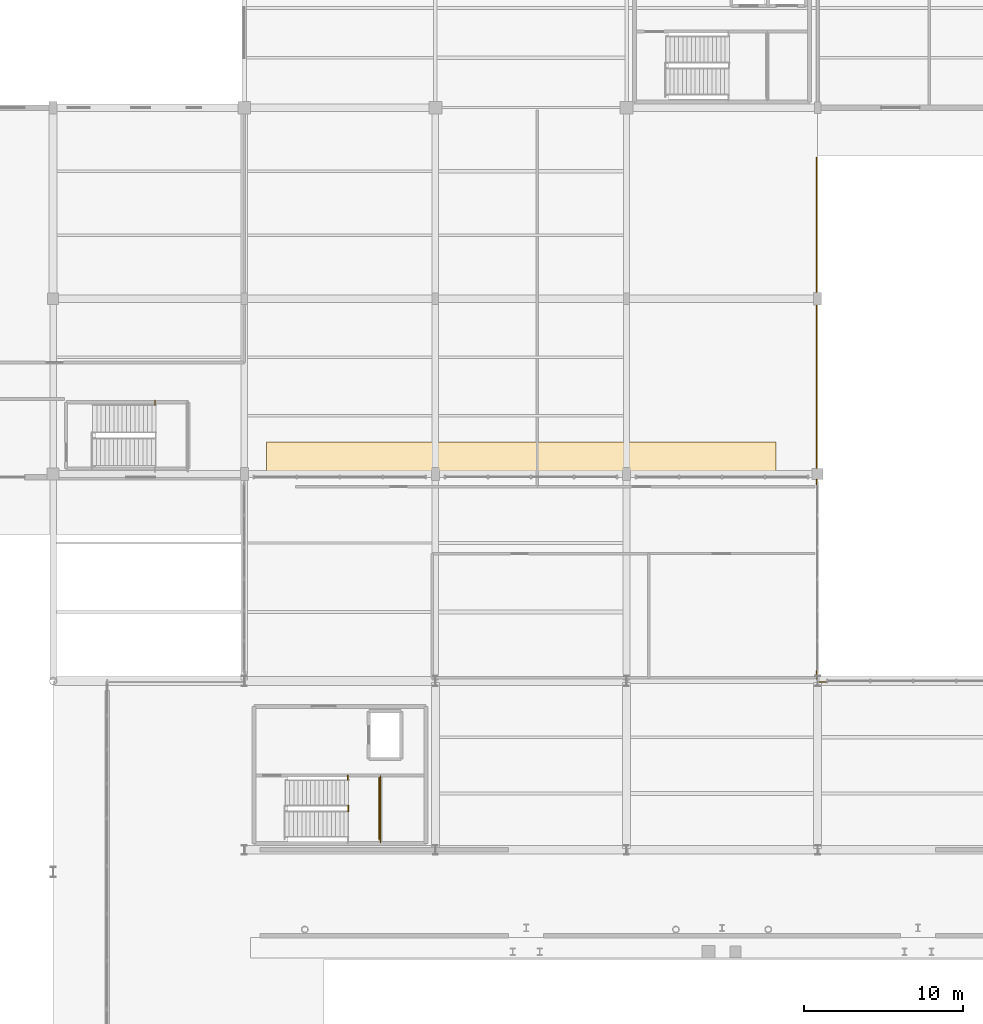
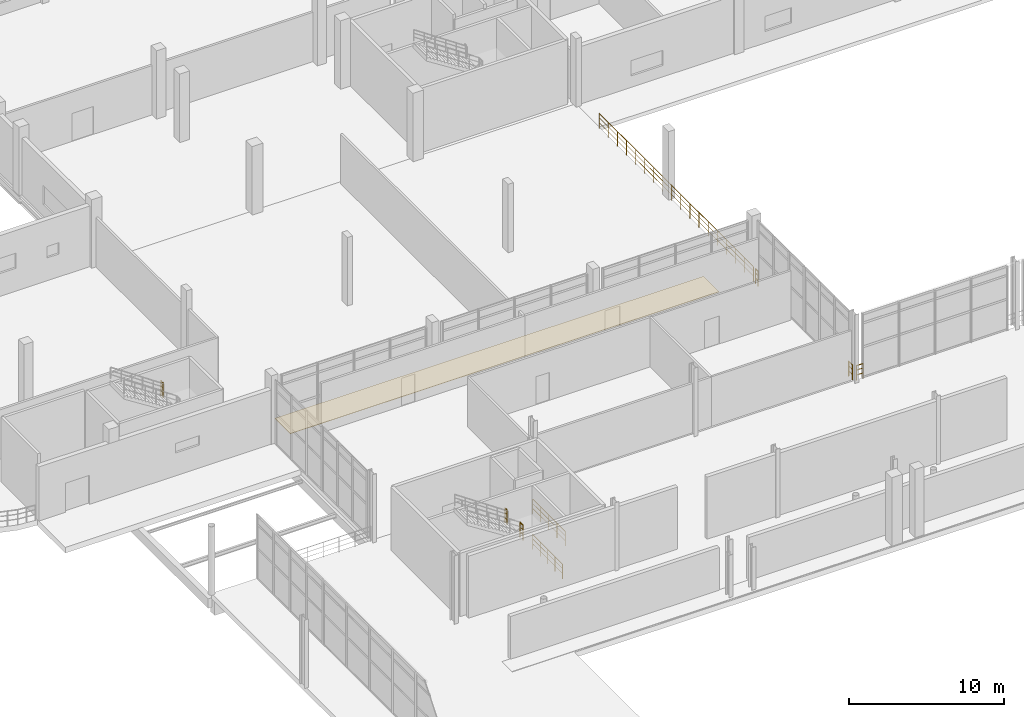
# One storey, part 75 of 85: 9 railings, 1 covering.
"""IFC4 building model written with IfcOpenShell, lengths in metres."""

from ifc_helpers import new_model, si_unit, direction, frame, origin, origin_2d, place, context, subcontext, project, spatial, rectangle, circle, extrude, material, layer, layer_set, type_object, element, save


model = new_model("IFC4")

# Units and contexts
model_context = context("Model", 3, precision=1e-05, world=origin(), true_north=direction((0.0, 1.0)))
body_context = subcontext(model_context, "Body", "Model", "MODEL_VIEW")
ifc_project = project(units=[si_unit("LENGTHUNIT", "METRE"), si_unit("AREAUNIT", "SQUARE_METRE"), si_unit("VOLUMEUNIT", "CUBIC_METRE"), si_unit("PLANEANGLEUNIT", "RADIAN"), si_unit("MASSUNIT", "GRAM", prefix="KILO"), si_unit("THERMODYNAMICTEMPERATUREUNIT", "KELVIN"), si_unit("POWERUNIT", "WATT")], contexts=[model_context])

# Site, building, storey
site_placement = place(None, origin())
site = spatial("IfcSite", under=ifc_project, at=site_placement, CompositionType="ELEMENT")
building_placement = place(site_placement, origin())
building = spatial("IfcBuilding", under=site, at=building_placement, Name="Solmara Park Aquatics Centre", CompositionType="ELEMENT")
storey_placement = place(building_placement, origin())
storey = spatial("IfcBuildingStorey", under=building, at=storey_placement, Name="L00", CompositionType="ELEMENT", Elevation=0.0)

# Covering
ifc_material_1 = material(Name="Anti-Slip Seafoam Ceramic Pool Deck Tile", Category="ceramic")
ifc_layer_1 = layer(ifc_material_1, 0.030029296875, Name="Anti-Slip Seafoam Ceramic Pool Deck Tile")
ifc_layer_set_1 = layer_set([ifc_layer_1], Name="Anti-Slip Seafoam Ceramic Pool Deck Tile")
covering_type = type_object("IfcCoveringType", Name="ARC-COV-TILE", PredefinedType="FLOORING", material=ifc_layer_set_1)
covering_placement = place(storey_placement, frame((42.0, 86.60009765625, 0.0), z_axis=(0.0, 0.0, 1.0), x_axis=(1.0, 0.0, 0.0)))
element("IfcCovering", 1, at=covering_placement, inside=storey, type_object=covering_type, Name="Seafoam Anti-Slip Pool Deck Tile 07", PredefinedType="FLOORING", context=body_context, shape_type="SweptSolid", body=[
    extrude(rectangle(XDim=32.0, YDim=2.0, at=origin_2d()), origin(), (0.0, 0.0, 1.0), 0.030029296875),
])

# Railings
ifc_material_2 = material(Name="Toughened Glass and Stainless Steel Stand Guardrail", Category="steel")
ifc_layer_2 = layer(ifc_material_2, 0.06005859375, Name="Toughened Glass and Stainless Steel Stand Guardrail")
ifc_layer_set_2 = layer_set([ifc_layer_2], Name="Toughened Glass and Stainless Steel Stand Guardrail")
railing_type_1 = type_object("IfcRailingType", Name="ARC-RL-STD110", PredefinedType="GUARDRAIL", material=ifc_layer_set_2)
railing_1_placement = place(storey_placement, frame((60.726318359375, 72.5400390625, 0.0)))
element("IfcRailing", 2, at=railing_1_placement, inside=storey, type_object=railing_type_1, Name="L00 Slab Edge Guardrail 002", PredefinedType="GUARDRAIL", context=body_context, shape_type="SweptSolid", body=[
    extrude(circle(Radius=0.02392578125, at=origin_2d()), frame((0.0, 0.0, 1.15576171875), z_axis=(1.0, 0.0, 0.0), x_axis=(0.0, 1.0, 0.0)), (0.0, 0.0, 1.0), 0.49365234375),
    extrude(circle(Radius=0.01416015625, at=origin_2d()), frame((0.0, 0.0, 0.4130859375), z_axis=(1.0, 0.0, 0.0), x_axis=(0.0, 1.0, 0.0)), (0.0, 0.0, 1.0), 0.49365234375),
    extrude(circle(Radius=0.01416015625, at=origin_2d()), frame((0.0, 0.0, 0.80224609375), z_axis=(1.0, 0.0, 0.0), x_axis=(0.0, 1.0, 0.0)), (0.0, 0.0, 1.0), 0.49365234375),
    extrude(circle(Radius=0.02099609375, at=origin_2d()), origin(), (0.0, 0.0, 1.0), 1.1318359375),
    extrude(circle(Radius=0.02099609375, at=origin_2d()), frame((0.49365234375, 0.0, 0.0)), (0.0, 0.0, 1.0), 1.1318359375),
])
railing_2_placement = place(storey_placement, frame((60.5400390625, 105.4736328125, 0.0)))
element("IfcRailing", 3, at=railing_2_placement, inside=storey, type_object=railing_type_1, Name="L00 Slab Edge Guardrail 018", PredefinedType="GUARDRAIL", context=body_context, shape_type="SweptSolid", body=[
    extrude(circle(Radius=0.02392578125, at=origin_2d()), frame((0.0, 0.0, 1.15576171875), z_axis=(0.0, -1.0, 0.0), x_axis=(1.0, 0.0, 0.0)), (0.0, 0.0, 1.0), 19.93359375),
    extrude(circle(Radius=0.01416015625, at=origin_2d()), frame((0.0, 0.0, 0.4130859375), z_axis=(0.0, -1.0, 0.0), x_axis=(1.0, 0.0, 0.0)), (0.0, 0.0, 1.0), 19.93359375),
    extrude(circle(Radius=0.01416015625, at=origin_2d()), frame((0.0, 0.0, 0.80224609375), z_axis=(0.0, -1.0, 0.0), x_axis=(1.0, 0.0, 0.0)), (0.0, 0.0, 1.0), 19.93359375),
    extrude(circle(Radius=0.02099609375, at=origin_2d()), origin(), (0.0, 0.0, 1.0), 1.1318359375),
    extrude(circle(Radius=0.02099609375, at=origin_2d()), frame((0.0, -1.172607421875, 0.0)), (0.0, 0.0, 1.0), 1.1318359375),
    extrude(circle(Radius=0.02099609375, at=origin_2d()), frame((0.0, -2.34521484375, 0.0)), (0.0, 0.0, 1.0), 1.1318359375),
    extrude(circle(Radius=0.02099609375, at=origin_2d()), frame((0.0, -3.517578125, 0.0)), (0.0, 0.0, 1.0), 1.1318359375),
    extrude(circle(Radius=0.02099609375, at=origin_2d()), frame((0.0, -4.690185546875, 0.0)), (0.0, 0.0, 1.0), 1.1318359375),
    extrude(circle(Radius=0.02099609375, at=origin_2d()), frame((0.0, -5.86279296875, 0.0)), (0.0, 0.0, 1.0), 1.1318359375),
    extrude(circle(Radius=0.02099609375, at=origin_2d()), frame((0.0, -7.035400390625, 0.0)), (0.0, 0.0, 1.0), 1.1318359375),
    extrude(circle(Radius=0.02099609375, at=origin_2d()), frame((0.0, -8.2080078125, 0.0)), (0.0, 0.0, 1.0), 1.1318359375),
    extrude(circle(Radius=0.02099609375, at=origin_2d()), frame((0.0, -9.380615234375, 0.0)), (0.0, 0.0, 1.0), 1.1318359375),
    extrude(circle(Radius=0.02099609375, at=origin_2d()), frame((0.0, -10.552978515625, 0.0)), (0.0, 0.0, 1.0), 1.1318359375),
    extrude(circle(Radius=0.02099609375, at=origin_2d()), frame((0.0, -11.7255859375, 0.0)), (0.0, 0.0, 1.0), 1.1318359375),
    extrude(circle(Radius=0.02099609375, at=origin_2d()), frame((0.0, -12.898193359375, 0.0)), (0.0, 0.0, 1.0), 1.1318359375),
    extrude(circle(Radius=0.02099609375, at=origin_2d()), frame((0.0, -14.07080078125, 0.0)), (0.0, 0.0, 1.0), 1.1318359375),
    extrude(circle(Radius=0.02099609375, at=origin_2d()), frame((0.0, -15.243408203125, 0.0)), (0.0, 0.0, 1.0), 1.1318359375),
    extrude(circle(Radius=0.02099609375, at=origin_2d()), frame((0.0, -16.416015625, 0.0)), (0.0, 0.0, 1.0), 1.1318359375),
    extrude(circle(Radius=0.02099609375, at=origin_2d()), frame((0.0, -17.58837890625, 0.0)), (0.0, 0.0, 1.0), 1.1318359375),
    extrude(circle(Radius=0.02099609375, at=origin_2d()), frame((0.0, -18.760986328125, 0.0)), (0.0, 0.0, 1.0), 1.1318359375),
    extrude(circle(Radius=0.02099609375, at=origin_2d()), frame((0.0, -19.93359375, 0.0)), (0.0, 0.0, 1.0), 1.1318359375),
])
railing_3_placement = place(storey_placement, frame((60.5400390625, 85.260009765625, 0.0)))
element("IfcRailing", 4, at=railing_3_placement, inside=storey, type_object=railing_type_1, Name="L00 Slab Edge Guardrail 028", PredefinedType="GUARDRAIL", context=body_context, shape_type="SweptSolid", body=[
    extrude(circle(Radius=0.02392578125, at=origin_2d()), frame((0.0, 0.0, 1.15576171875), z_axis=(0.0, -1.0, 0.0), x_axis=(1.0, 0.0, 0.0)), (0.0, 0.0, 1.0), 0.320068359375),
    extrude(circle(Radius=0.01416015625, at=origin_2d()), frame((0.0, 0.0, 0.4130859375), z_axis=(0.0, -1.0, 0.0), x_axis=(1.0, 0.0, 0.0)), (0.0, 0.0, 1.0), 0.320068359375),
    extrude(circle(Radius=0.01416015625, at=origin_2d()), frame((0.0, 0.0, 0.80224609375), z_axis=(0.0, -1.0, 0.0), x_axis=(1.0, 0.0, 0.0)), (0.0, 0.0, 1.0), 0.320068359375),
    extrude(circle(Radius=0.02099609375, at=origin_2d()), origin(), (0.0, 0.0, 1.0), 1.1318359375),
    extrude(circle(Radius=0.02099609375, at=origin_2d()), frame((0.0, -0.320068359375, 0.0)), (0.0, 0.0, 1.0), 1.1318359375),
])
railing_4_placement = place(storey_placement, frame((60.5400390625, 73.219970703125, 0.0)))
element("IfcRailing", 5, at=railing_4_placement, inside=storey, type_object=railing_type_1, Name="L00 Slab Edge Guardrail 029", PredefinedType="GUARDRAIL", context=body_context, shape_type="SweptSolid", body=[
    extrude(circle(Radius=0.02392578125, at=origin_2d()), frame((0.0, 0.0, 1.15576171875), z_axis=(0.0, -1.0, 0.0), x_axis=(1.0, 0.0, 0.0)), (0.0, 0.0, 1.0), 0.47998046875),
    extrude(circle(Radius=0.01416015625, at=origin_2d()), frame((0.0, 0.0, 0.4130859375), z_axis=(0.0, -1.0, 0.0), x_axis=(1.0, 0.0, 0.0)), (0.0, 0.0, 1.0), 0.47998046875),
    extrude(circle(Radius=0.01416015625, at=origin_2d()), frame((0.0, 0.0, 0.80224609375), z_axis=(0.0, -1.0, 0.0), x_axis=(1.0, 0.0, 0.0)), (0.0, 0.0, 1.0), 0.47998046875),
    extrude(circle(Radius=0.02099609375, at=origin_2d()), origin(), (0.0, 0.0, 1.0), 1.1318359375),
    extrude(circle(Radius=0.02099609375, at=origin_2d()), frame((0.0, -0.47998046875, 0.0)), (0.0, 0.0, 1.0), 1.1318359375),
])
ifc_material_3 = material(Name="Brushed Stainless Steel Guardrail", Category="steel")
ifc_layer_3 = layer(ifc_material_3, 0.050048828125, Name="Brushed Stainless Steel Guardrail")
ifc_layer_set_3 = layer_set([ifc_layer_3], Name="Brushed Stainless Steel Guardrail")
railing_type_2 = type_object("IfcRailingType", Name="ARC-RL-STR110", PredefinedType="GUARDRAIL", material=ifc_layer_set_3)
railing_5_placement = place(storey_placement, frame((33.080078125, 62.669921875, 0.0)))
element("IfcRailing", 6, at=railing_5_placement, inside=storey, type_object=railing_type_2, Name="ST-04 Protected Exit Stair (B1 to L00) Far Well Edge Guardrail", PredefinedType="GUARDRAIL", context=body_context, shape_type="SweptSolid", body=[
    extrude(circle(Radius=0.02392578125, at=origin_2d()), frame((0.0, 0.0, 1.15576171875), z_axis=(0.0, 1.0, 0.0), x_axis=(-1.0, 0.0, 0.0)), (0.0, 0.0, 1.0), 3.860107421875),
    extrude(circle(Radius=0.01416015625, at=origin_2d()), frame((0.0, 0.0, 0.4130859375), z_axis=(0.0, 1.0, 0.0), x_axis=(-1.0, 0.0, 0.0)), (0.0, 0.0, 1.0), 3.860107421875),
    extrude(circle(Radius=0.01416015625, at=origin_2d()), frame((0.0, 0.0, 0.80224609375), z_axis=(0.0, 1.0, 0.0), x_axis=(-1.0, 0.0, 0.0)), (0.0, 0.0, 1.0), 3.860107421875),
    extrude(circle(Radius=0.02099609375, at=origin_2d()), origin(), (0.0, 0.0, 1.0), 1.1318359375),
    extrude(circle(Radius=0.02099609375, at=origin_2d()), frame((0.0, 0.965087890625, 0.0)), (0.0, 0.0, 1.0), 1.1318359375),
    extrude(circle(Radius=0.02099609375, at=origin_2d()), frame((0.0, 1.93017578125, 0.0)), (0.0, 0.0, 1.0), 1.1318359375),
    extrude(circle(Radius=0.02099609375, at=origin_2d()), frame((0.0, 2.89501953125, 0.0)), (0.0, 0.0, 1.0), 1.1318359375),
    extrude(circle(Radius=0.02099609375, at=origin_2d()), frame((0.0, 3.860107421875, 0.0)), (0.0, 0.0, 1.0), 1.1318359375),
])
railing_6_placement = place(storey_placement, frame((31.125, 64.409912109375, 2.699951171875)))
element("IfcRailing", 7, at=railing_6_placement, inside=storey, type_object=railing_type_2, Name="ST-04 Protected Exit Stair (L00 to L01) Half-Landing Well Guardrail", PredefinedType="GUARDRAIL", context=body_context, shape_type="SweptSolid", body=[
    extrude(circle(Radius=0.02392578125, at=origin_2d()), frame((0.0, 0.0, 1.15576171875), z_axis=(0.0, 1.0, 0.0), x_axis=(-1.0, 0.0, 0.0)), (0.0, 0.0, 1.0), 0.380126953125),
    extrude(circle(Radius=0.01416015625, at=origin_2d()), frame((0.0, 0.0, 0.4130859375), z_axis=(0.0, 1.0, 0.0), x_axis=(-1.0, 0.0, 0.0)), (0.0, 0.0, 1.0), 0.380126953125),
    extrude(circle(Radius=0.01416015625, at=origin_2d()), frame((0.0, 0.0, 0.80224609375), z_axis=(0.0, 1.0, 0.0), x_axis=(-1.0, 0.0, 0.0)), (0.0, 0.0, 1.0), 0.380126953125),
    extrude(circle(Radius=0.02099609375, at=origin_2d()), origin(), (0.0, 0.0, 1.0), 1.1318359375),
    extrude(circle(Radius=0.02099609375, at=origin_2d()), frame((0.0, 0.380126953125, 0.0)), (0.0, 0.0, 1.0), 1.1318359375),
])
railing_7_placement = place(storey_placement, frame((31.094970703125, 66.39990234375, 2.699951171875)))
element("IfcRailing", 8, at=railing_7_placement, inside=storey, type_object=railing_type_2, Name="ST-04 Protected Exit Stair (L00 to L01) Half-Landing North Slot Guardrail", PredefinedType="GUARDRAIL", context=body_context, shape_type="SweptSolid", body=[
    extrude(circle(Radius=0.02392578125, at=origin_2d()), frame((0.0, 0.0, 1.15576171875), z_axis=(0.0, 1.0, 0.0), x_axis=(-1.0, 0.0, 0.0)), (0.0, 0.0, 1.0), 0.260009765625),
    extrude(circle(Radius=0.01416015625, at=origin_2d()), frame((0.0, 0.0, 0.4130859375), z_axis=(0.0, 1.0, 0.0), x_axis=(-1.0, 0.0, 0.0)), (0.0, 0.0, 1.0), 0.260009765625),
    extrude(circle(Radius=0.01416015625, at=origin_2d()), frame((0.0, 0.0, 0.80224609375), z_axis=(0.0, 1.0, 0.0), x_axis=(-1.0, 0.0, 0.0)), (0.0, 0.0, 1.0), 0.260009765625),
    extrude(circle(Radius=0.02099609375, at=origin_2d()), origin(), (0.0, 0.0, 1.0), 1.1318359375),
    extrude(circle(Radius=0.02099609375, at=origin_2d()), frame((0.0, 0.260009765625, 0.0)), (0.0, 0.0, 1.0), 1.1318359375),
])
railing_8_placement = place(storey_placement, frame((33.14990234375, 62.4599609375, 2.699951171875)))
element("IfcRailing", 9, at=railing_8_placement, inside=storey, type_object=railing_type_2, Name="ST-04 Protected Exit Stair (L00 to L01) Half-Landing Outer Guardrail", PredefinedType="GUARDRAIL", context=body_context, shape_type="SweptSolid", body=[
    extrude(circle(Radius=0.02392578125, at=origin_2d()), frame((0.0, 0.0, 1.15576171875), z_axis=(0.0, 1.0, 0.0), x_axis=(-1.0, 0.0, 0.0)), (0.0, 0.0, 1.0), 4.179931640625),
    extrude(circle(Radius=0.01416015625, at=origin_2d()), frame((0.0, 0.0, 0.4130859375), z_axis=(0.0, 1.0, 0.0), x_axis=(-1.0, 0.0, 0.0)), (0.0, 0.0, 1.0), 4.179931640625),
    extrude(circle(Radius=0.01416015625, at=origin_2d()), frame((0.0, 0.0, 0.80224609375), z_axis=(0.0, 1.0, 0.0), x_axis=(-1.0, 0.0, 0.0)), (0.0, 0.0, 1.0), 4.179931640625),
    extrude(circle(Radius=0.02099609375, at=origin_2d()), origin(), (0.0, 0.0, 1.0), 1.1318359375),
    extrude(circle(Radius=0.02099609375, at=origin_2d()), frame((0.0, 1.044921875, 0.0)), (0.0, 0.0, 1.0), 1.1318359375),
    extrude(circle(Radius=0.02099609375, at=origin_2d()), frame((0.0, 2.08984375, 0.0)), (0.0, 0.0, 1.0), 1.1318359375),
    extrude(circle(Radius=0.02099609375, at=origin_2d()), frame((0.0, 3.135009765625, 0.0)), (0.0, 0.0, 1.0), 1.1318359375),
    extrude(circle(Radius=0.02099609375, at=origin_2d()), frame((0.0, 4.179931640625, 0.0)), (0.0, 0.0, 1.0), 1.1318359375),
])
railing_9_placement = place(storey_placement, frame((18.9951171875, 89.949951171875, 2.699951171875)))
element("IfcRailing", 10, at=railing_9_placement, inside=storey, type_object=railing_type_2, Name="West Changing Escape Stair ST-08 (L00-L01) Half-Landing North Slot Guardrail", PredefinedType="GUARDRAIL", context=body_context, shape_type="SweptSolid", body=[
    extrude(circle(Radius=0.02392578125, at=origin_2d()), frame((0.0, 0.0, 1.15576171875), z_axis=(0.0, 1.0, 0.0), x_axis=(-1.0, 0.0, 0.0)), (0.0, 0.0, 1.0), 0.260009765625),
    extrude(circle(Radius=0.01416015625, at=origin_2d()), frame((0.0, 0.0, 0.4130859375), z_axis=(0.0, 1.0, 0.0), x_axis=(-1.0, 0.0, 0.0)), (0.0, 0.0, 1.0), 0.260009765625),
    extrude(circle(Radius=0.01416015625, at=origin_2d()), frame((0.0, 0.0, 0.80224609375), z_axis=(0.0, 1.0, 0.0), x_axis=(-1.0, 0.0, 0.0)), (0.0, 0.0, 1.0), 0.260009765625),
    extrude(circle(Radius=0.02099609375, at=origin_2d()), origin(), (0.0, 0.0, 1.0), 1.1318359375),
    extrude(circle(Radius=0.02099609375, at=origin_2d()), frame((0.0, 0.260009765625, 0.0)), (0.0, 0.0, 1.0), 1.1318359375),
])

save(model, "model.ifc")
